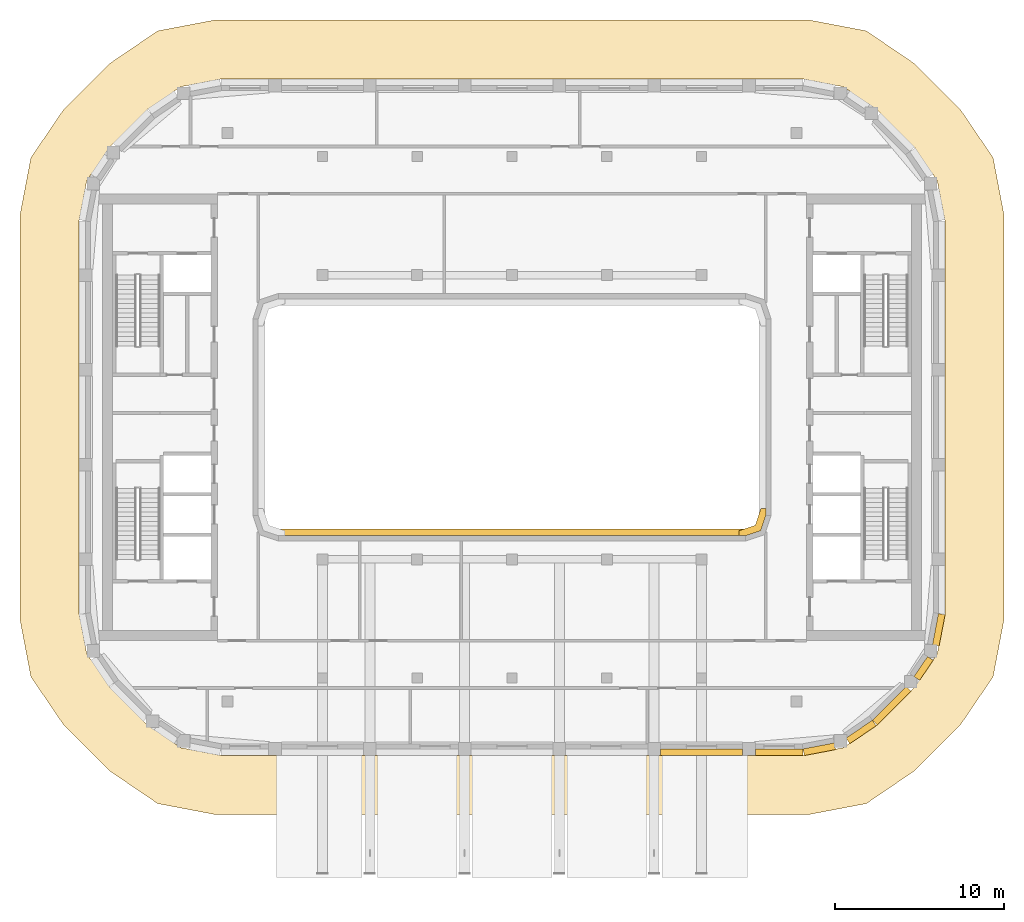
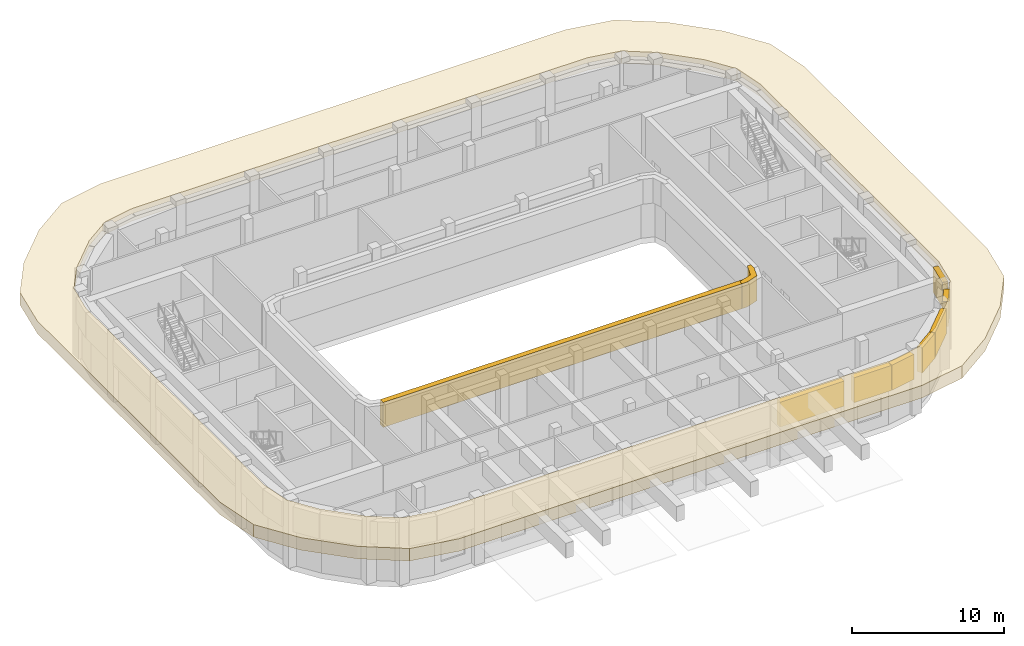
# One storey, part 13 of 17: 10 coverings.
"""IFC4 building model written with IfcOpenShell, lengths in metres."""

from ifc_helpers import new_model, si_unit, direction, frame, origin, origin_2d, place, context, subcontext, project, spatial, polyline, rectangle, outline, extrude, material, layer, layer_set, type_object, element, save


model = new_model("IFC4")

# Units and contexts
model_context = context("Model", 3, precision=1e-05, world=origin(), true_north=direction((0.0, 1.0)))
body_context = subcontext(model_context, "Body", "Model", "MODEL_VIEW")
ifc_project = project(units=[si_unit("LENGTHUNIT", "METRE"), si_unit("AREAUNIT", "SQUARE_METRE"), si_unit("VOLUMEUNIT", "CUBIC_METRE"), si_unit("PLANEANGLEUNIT", "RADIAN"), si_unit("MASSUNIT", "GRAM", prefix="KILO")], contexts=[model_context])

# Site, building, storey
site_placement = place(None, origin())
site = spatial("IfcSite", under=ifc_project, at=site_placement, CompositionType="ELEMENT")
building_placement = place(site_placement, origin())
building = spatial("IfcBuilding", under=site, at=building_placement, Name="Kiln Ring Residences", CompositionType="ELEMENT")
storey_placement = place(building_placement, frame((0.0, 0.0, 289.10009765625)))
storey = spatial("IfcBuildingStorey", under=building, at=storey_placement, Name="L75", CompositionType="ELEMENT", Elevation=289.10009765625)

# Coverings
ifc_material_1 = material(Name="Black powder-coated steel", Category="steel")
ifc_layer = layer(ifc_material_1, 1.0)
ifc_layer_set = layer_set([ifc_layer], Name="SUNSHADE FIN 3500")
covering_type_1 = type_object("IfcCoveringType", Name="SUNSHADE FIN 3500", PredefinedType="CLADDING", material=ifc_layer_set)
covering_1_placement = place(storey_placement, frame((0.0, 0.0, 4.39990234375)))
element("IfcCovering", 1, at=covering_1_placement, inside=storey, type_object=covering_type_1, Name="SUNSHADE FIN L75", PredefinedType="CLADDING", context=body_context, shape_type="SweptSolid", body=[
    extrude(outline(polyline([(-28.431640625, -15.338623046875), (-26.501953125, -18.177978515625), (-23.778076171875, -20.902099609375), (-20.938720703125, -22.831787109375), (-17.56640625, -23.47509765625), (17.56640625, -23.47509765625), (20.938720703125, -22.831787109375), (23.778076171875, -20.902099609375), (26.501953125, -18.177978515625), (28.431640625, -15.338623046875), (29.074951171875, -11.96630859375), (29.074951171875, 11.96630859375), (28.431640625, 15.338623046875), (26.501953125, 18.177978515625), (23.778076171875, 20.902099609375), (20.938720703125, 22.831787109375), (17.56640625, 23.47509765625), (-17.56640625, 23.47509765625), (-20.938720703125, 22.831787109375), (-23.778076171875, 20.902099609375), (-26.501953125, 18.177978515625), (-28.431640625, 15.338623046875), (-29.074951171875, 11.96630859375), (-29.074951171875, -11.96630859375), (-28.431640625, -15.338623046875)]), holes=[polyline([(-21.537109375, -18.193115234375), (-23.793212890625, -15.937255859375), (-25.12939453125, -13.970703125), (-25.574951171875, -11.635498046875), (-25.574951171875, 11.635498046875), (-25.12939453125, 13.970703125), (-23.793212890625, 15.937255859375), (-21.537109375, 18.193115234375), (-19.57080078125, 19.529541015625), (-17.2353515625, 19.97509765625), (17.2353515625, 19.97509765625), (19.57080078125, 19.529541015625), (21.537109375, 18.193115234375), (23.793212890625, 15.937255859375), (25.12939453125, 13.970703125), (25.574951171875, 11.635498046875), (25.574951171875, -11.635498046875), (25.12939453125, -13.970703125), (23.793212890625, -15.937255859375), (21.537109375, -18.193115234375), (19.57080078125, -19.529541015625), (17.2353515625, -19.97509765625), (-17.2353515625, -19.97509765625), (-19.57080078125, -19.529541015625), (-21.537109375, -18.193115234375)])]), origin(), (0.0, 0.0, 1.0), 1.0),
])
ifc_material_2 = material(Name="Concrete C35/45, exposed aggregate finish", Category="concrete")
covering_type_2 = type_object("IfcCoveringType", Name="TIE BAND 2000 x 400", PredefinedType="CLADDING", material=ifc_material_2)
covering_2_placement = place(storey_placement, frame((11.199951171875, -19.800048828125, 3.0), z_axis=(0.0, 0.0, 1.0), x_axis=(1.0, 0.0, 0.0)))
element("IfcCovering", 2, at=covering_2_placement, inside=storey, type_object=covering_type_2, Name="TIE BAND L75", PredefinedType="CLADDING", context=body_context, shape_type="SweptSolid", body=[
    extrude(rectangle(XDim=4.85009765625, YDim=0.39990234375, at=origin_2d()), origin(), (0.0, 0.0, 1.0), 2.0),
])
covering_3_placement = place(storey_placement, frame((15.78759765625, -19.800048828125, 3.0), z_axis=(0.0, 0.0, 1.0), x_axis=(1.0, 0.0, 0.0)))
element("IfcCovering", 3, at=covering_3_placement, inside=storey, type_object=covering_type_2, Name="TIE BAND L75", PredefinedType="CLADDING", context=body_context, shape_type="SweptSolid", body=[
    extrude(rectangle(XDim=2.824951171875, YDim=0.39990234375, at=origin_2d()), origin(), (0.0, 0.0, 1.0), 2.0),
])
for number, where, z_axis, x_axis, name in (
    (4, (18.161376953125, -19.6201171875, 3.0), (0.0, 0.0, 1.0), (0.98229025778, 0.187365550382, 0.0), "TIE BAND L75"),
    (5, (20.631591796875, -18.596923828125, 3.0), (0.0, 0.0, 1.0), (0.827071553606, 0.562096651134, 0.0), "TIE BAND L75"),
):
    element("IfcCovering", number, at=place(storey_placement, frame(where, z_axis=z_axis, x_axis=x_axis)), inside=storey, type_object=covering_type_2, Name=name, PredefinedType="CLADDING", context=body_context, shape_type="SweptSolid", body=[
        extrude(rectangle(XDim=1.881103515625, YDim=0.39990234375, at=origin_2d()), origin(), (0.0, 0.0, 1.0), 2.0),
    ])
covering_4_placement = place(storey_placement, frame((22.437255859375, -17.045654296875, 3.0), z_axis=(0.0, 0.0, 1.0), x_axis=(0.707106781187, 0.707106781187, 0.0)))
element("IfcCovering", 6, at=covering_4_placement, inside=storey, type_object=covering_type_2, Name="TIE BAND L75", PredefinedType="CLADDING", context=body_context, shape_type="SweptSolid", body=[
    extrude(rectangle(XDim=2.824951171875, YDim=0.39990234375, at=origin_2d()), origin(), (0.0, 0.0, 1.0), 2.0),
])
covering_5_placement = place(storey_placement, frame((24.32470703125, -14.84375, 3.0), z_axis=(0.0, 0.0, 1.0), x_axis=(0.562096651134, 0.827071553606, 0.0)))
element("IfcCovering", 7, at=covering_5_placement, inside=storey, type_object=covering_type_2, Name="TIE BAND L75", PredefinedType="CLADDING", context=body_context, shape_type="SweptSolid", body=[
    extrude(rectangle(XDim=1.427001953125, YDim=0.39990234375, at=origin_2d()), origin(), (0.0, 0.0, 1.0), 2.0),
])
covering_6_placement = place(storey_placement, frame((25.22021484375, -12.561279296875, 3.0), z_axis=(0.0, 0.0, 1.0), x_axis=(0.187365550382, 0.98229025778, 0.0)))
element("IfcCovering", 8, at=covering_6_placement, inside=storey, type_object=covering_type_2, Name="TIE BAND L75", PredefinedType="CLADDING", context=body_context, shape_type="SweptSolid", body=[
    extrude(rectangle(XDim=1.881103515625, YDim=0.39990234375, at=origin_2d()), origin(), (0.0, 0.0, 1.0), 2.0),
])
covering_7_placement = place(storey_placement, frame((0.0, -6.800048828125, 3.0), z_axis=(0.0, 0.0, 1.0), x_axis=(-1.0, 0.0, 0.0)))
element("IfcCovering", 9, at=covering_7_placement, inside=storey, type_object=covering_type_2, Name="TIE BAND L75", PredefinedType="CLADDING", context=body_context, shape_type="SweptSolid", body=[
    extrude(rectangle(XDim=27.60009765625, YDim=0.39990234375, at=origin_2d()), origin(), (0.0, 0.0, 1.0), 2.0),
])
covering_8_placement = place(storey_placement, frame((0.0, 0.0, 3.0)))
element("IfcCovering", 10, at=covering_8_placement, inside=storey, type_object=covering_type_2, Name="TIE BAND L75", PredefinedType="CLADDING", context=body_context, shape_type="SweptSolid", body=[
    extrude(outline(polyline([(14.3837890625, -6.3837890625), (13.39990234375, -6.711669921875), (13.39990234375, -7.0), (13.800048828125, -7.0), (14.699951171875, -6.699951171875), (15.0, -5.800048828125), (15.0, -5.39990234375), (14.711669921875, -5.39990234375), (14.3837890625, -6.3837890625)])), origin(), (0.0, 0.0, 1.0), 2.0),
])

save(model, "model.ifc")
